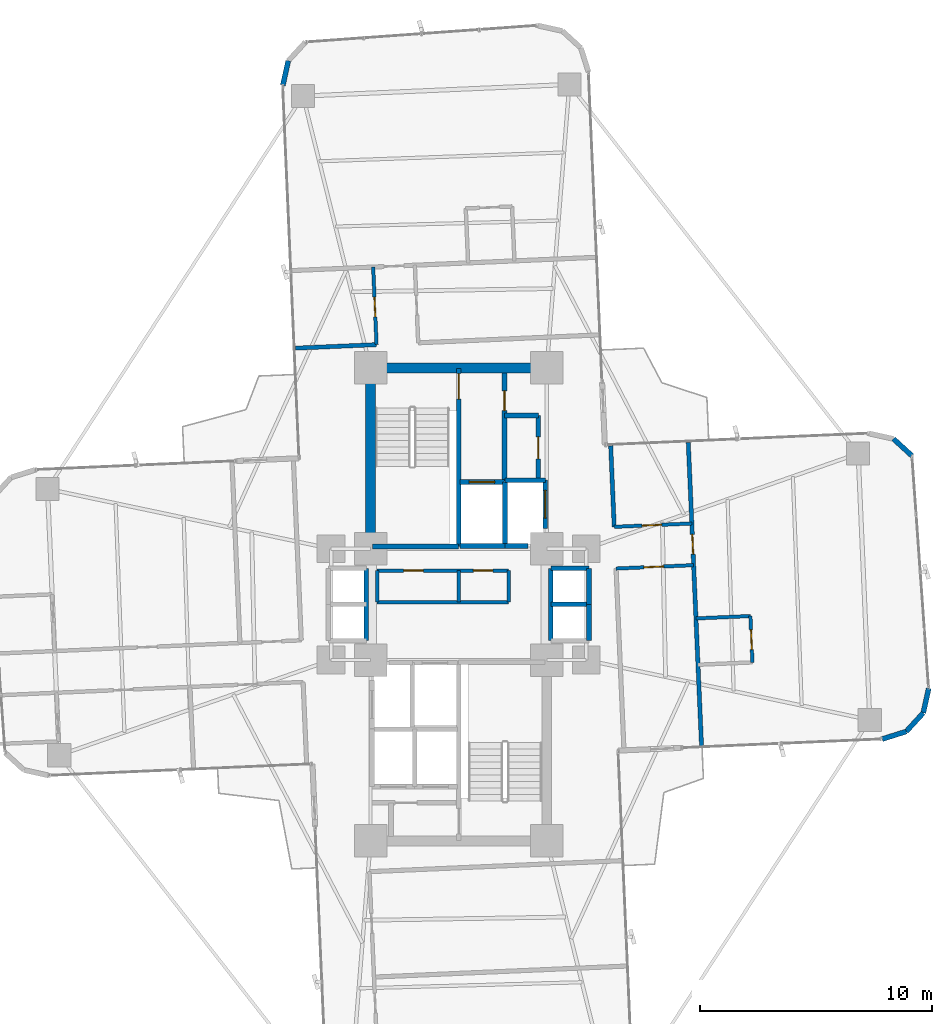
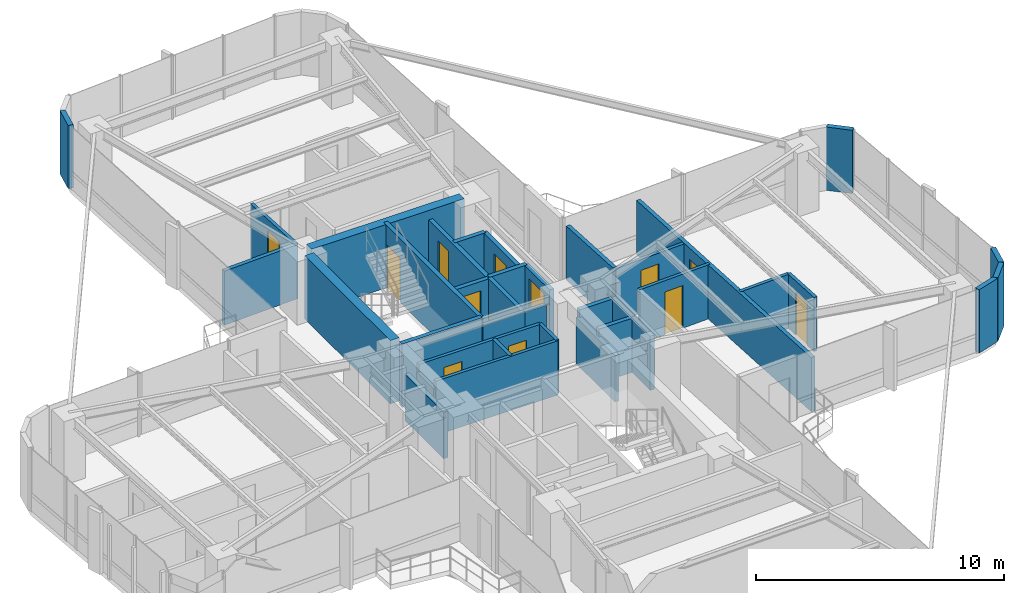
# One storey, part 24 of 26: 37 walls, 12 doors, 12 openings.
"""IFC4 building model written with IfcOpenShell, lengths in metres."""

from ifc_helpers import new_model, si_unit, direction, frame, frame_2d, origin, origin_2d, place, context, subcontext, project, spatial, rectangle, extrude, source, transform, mapped, material, layer, layer_set, type_object, element, fill, save


model = new_model("IFC4")

# Units and contexts
model_context = context("Model", 3, precision=1e-05, world=origin(), true_north=direction((0.0, 1.0)))
body_context = subcontext(model_context, "Body", "Model", "MODEL_VIEW")
ifc_project = project(units=[si_unit("LENGTHUNIT", "METRE"), si_unit("AREAUNIT", "SQUARE_METRE"), si_unit("VOLUMEUNIT", "CUBIC_METRE"), si_unit("PLANEANGLEUNIT", "RADIAN"), si_unit("MASSUNIT", "GRAM", prefix="KILO")], contexts=[model_context])

# Site, building, storey
site_placement = place(None, origin())
site = spatial("IfcSite", under=ifc_project, at=site_placement, CompositionType="ELEMENT")
building_placement = place(site_placement, origin())
building = spatial("IfcBuilding", under=site, at=building_placement, Name="Sahyath Konkavel Grand Hotel", CompositionType="ELEMENT")
storey_placement = place(building_placement, frame((0.0, 0.0, 86.85009765625)))
storey = spatial("IfcBuildingStorey", under=building, at=storey_placement, Name="L23", CompositionType="ELEMENT", Elevation=86.85009765625)

# Walls
ifc_material_1 = material(Name="Concrete C50/60", Category="concrete")
ifc_layer_1 = layer(ifc_material_1, 0.419921875)
ifc_layer_set_1 = layer_set([ifc_layer_1], Name="Concrete C50/60")
wall_type_1 = type_object("IfcWallType", Name="CWALL-420", PredefinedType="SHEAR", material=ifc_layer_set_1)
wall_1_placement = place(storey_placement, frame((-3.550048828125, 10.199951171875, 0.0), z_axis=(0.0, 0.0, 1.0), x_axis=(1.0, 0.0, 0.0)))
element("IfcWall", 1, at=wall_1_placement, inside=storey, type_object=wall_type_1, Name="L23 North Core Shear Wall N", PredefinedType="SHEAR", context=body_context, shape_type="SweptSolid", body=[
    extrude(rectangle(XDim=7.10009765625, YDim=0.419921875, at=frame_2d((3.550048828125, 0.0))), origin(), (0.0, 0.0, 1.0), 3.10986328125),
])
wall_2_placement = place(storey_placement, frame((-3.800048828125, 2.85009765625, 0.0), z_axis=(0.0, 0.0, 1.0), x_axis=(0.0, 1.0, 0.0)))
element("IfcWall", 2, at=wall_2_placement, inside=storey, type_object=wall_type_1, Name="L23 North Core Shear Wall W", PredefinedType="SHEAR", context=body_context, shape_type="SweptSolid", body=[
    extrude(rectangle(XDim=6.89990234375, YDim=0.419921875, at=frame_2d((3.449951171875, 0.0))), origin(), (0.0, 0.0, 1.0), 3.10986328125),
])
ifc_material_2 = material(Name="Warm Buff Sandstone Insulated Concrete C40/50", Category="masonry")
ifc_layer_2 = layer(ifc_material_2, 0.219970703125)
ifc_layer_set_2 = layer_set([ifc_layer_2], Name="Warm Buff Sandstone Insulated Concrete C40/50")
wall_type_2 = type_object("IfcWallType", Name="WLL-BALC-THRESH", PredefinedType="STANDARD", material=ifc_layer_set_2)
for number, where, z_axis, x_axis, name in (
    (3, (18.270751953125, -5.80859375, 0.0), (0.0, 0.0, 1.0), (0.953721713582, 0.30069069331, 0.0), "L23 Rounded Corner Sandstone Pier 1"),
    (4, (19.3076171875, -5.481689453125, 0.0), (0.0, 0.0, 1.0), (0.675551721847, 0.737312600672, 0.0), "L23 Rounded Corner Sandstone Pier 2"),
):
    element("IfcWall", number, at=place(storey_placement, frame(where, z_axis=z_axis, x_axis=x_axis)), inside=storey, type_object=wall_type_2, Name=name, PredefinedType="STANDARD", context=body_context, shape_type="SweptSolid", body=[
        extrude(rectangle(XDim=1.087158203125, YDim=0.219970703125, at=frame_2d((0.54345703125, 0.0))), origin(), (0.0, 0.0, 1.0), 3.10986328125),
    ])
for number, where, z_axis, x_axis, name in (
    (5, (20.0419921875, -4.68017578125, 0.0), (0.0, 0.0, 1.0), (0.216288323511, 0.976329535102, 0.0), "L23 Rounded Corner Sandstone Pier 3"),
    (6, (19.5576171875, 6.4091796875, 0.0), (0.0, 0.0, 1.0), (-0.737210081318, 0.675663596772, 0.0), "L23 Rounded Corner Sandstone Pier 5"),
):
    element("IfcWall", number, at=place(storey_placement, frame(where, z_axis=z_axis, x_axis=x_axis)), inside=storey, type_object=wall_type_2, Name=name, PredefinedType="STANDARD", context=body_context, shape_type="SweptSolid", body=[
        extrude(rectangle(XDim=1.0869140625, YDim=0.219970703125, at=frame_2d((0.54345703125, 0.0))), origin(), (0.0, 0.0, 1.0), 3.10986328125),
    ])
wall_3_placement = place(storey_placement, frame((-7.3486328125, 23.451904296875, 0.0), z_axis=(0.0, 0.0, 1.0), x_axis=(-0.216454939174, -0.976292609471, 0.0)))
element("IfcWall", 7, at=wall_3_placement, inside=storey, type_object=wall_type_2, Name="L23 Rounded Corner Sandstone Pier 14", PredefinedType="STANDARD", context=body_context, shape_type="SweptSolid", body=[
    extrude(rectangle(XDim=1.08740234375, YDim=0.219970703125, at=frame_2d((0.543701171875, 0.0))), origin(), (0.0, 0.0, 1.0), 3.10986328125),
])

# Wall, opening, door
ifc_material_3 = material(Name="Concrete C40/50", Category="concrete")
ifc_layer_3 = layer(ifc_material_3, 0.199951171875)
ifc_layer_set_3 = layer_set([ifc_layer_3], Name="Concrete C40/50")
wall_type_3 = type_object("IfcWallType", Name="WLL-CORE-200", PredefinedType="SOLIDWALL", material=ifc_layer_set_3)
wall_4_placement = place(storey_placement, frame((0.0, 2.5, 0.0), z_axis=(0.0, 0.0, 1.0), x_axis=(0.0, 1.0, 0.0)))
wall_4 = element("IfcWall", 8, at=wall_4_placement, inside=storey, type_object=wall_type_3, Name="L23 Stair ST-1 Shaft Wall E", PredefinedType="SOLIDWALL", context=body_context, shape_type="SweptSolid", body=[
    extrude(rectangle(XDim=7.679931640625, YDim=0.199951171875, at=frame_2d((3.83984375, 0.0))), origin(), (0.0, 0.0, 1.0), 3.10986328125),
])
opening_1_placement = place(wall_4_placement, frame((6.360107421875, 0.0, 0.0)))
opening_1 = element("IfcOpeningElement", 9, at=opening_1_placement, cuts=wall_4, Name="Opening D-F12B", PredefinedType="OPENING", context=body_context, shape_type="SweptSolid", body=[
    extrude(rectangle(XDim=1.10009765625, YDim=2.14990234375, at=frame_2d((0.550048828125, 1.074951171875))), frame((0.0, 0.10986328125, 0.0), z_axis=(0.0, -1.0, 0.0), x_axis=(1.0, 0.0, 0.0)), (0.0, 0.0, 1.0), 0.219970703125),
])
ifc_material_4 = material(Name="Steel E350 Smokeproof Fire Door", Category="steel")
door_type_1 = type_object("IfcDoorType", Name="DR-FD120-1100", OperationType="NOTDEFINED", PredefinedType="DOOR", material=ifc_material_4)
shared_shape_1 = source(origin(), body_context, "Body", "SweptSolid", [
    extrude(rectangle(XDim=1.10009765625, YDim=0.050048828125, at=origin_2d()), origin(), (0.0, 0.0, 1.0), 2.14990234375),
])
door_1_placement = place(opening_1_placement, frame((0.550048828125, 0.0, 0.0)))
door_1 = element("IfcDoor", 10, at=door_1_placement, inside=storey, type_object=door_type_1, Name="L23 Stair ST-1 Fire Door", OperationType="SINGLE_SWING_LEFT", OverallHeight=2.14990234375, OverallWidth=1.10009765625, PredefinedType="DOOR", context=body_context, shape_type="MappedRepresentation", body=[
    mapped(shared_shape_1, transform((0.0, 0.0, 0.0), scale=1.0)),
])
fill(opening_1, door_1)

# Wall
wall_5_placement = place(storey_placement, frame((-3.719970703125, 2.5, 0.0), z_axis=(0.0, 0.0, 1.0), x_axis=(1.0, 0.0, 0.0)))
element("IfcWall", 11, at=wall_5_placement, inside=storey, type_object=wall_type_3, Name="L23 Stair ST-1 Shaft Wall S", PredefinedType="SOLIDWALL", context=body_context, shape_type="SweptSolid", body=[
    extrude(rectangle(XDim=3.719970703125, YDim=0.199951171875, at=frame_2d((1.85986328125, 0.0))), origin(), (0.0, 0.0, 1.0), 3.10986328125),
])

# Wall, opening, door
wall_6_placement = place(storey_placement, frame((1.97998046875, 5.320068359375, 0.0), z_axis=(0.0, 0.0, 1.0), x_axis=(0.0, 1.0, 0.0)))
wall_6 = element("IfcWall", 12, at=wall_6_placement, inside=storey, type_object=wall_type_3, Name="L23 North Firefighting Lobby Wall E", PredefinedType="SOLIDWALL", context=body_context, shape_type="SweptSolid", body=[
    extrude(rectangle(XDim=4.659912109375, YDim=0.199951171875, at=frame_2d((2.330078125, 0.0))), origin(), (0.0, 0.0, 1.0), 2.659912109375),
])
opening_2_placement = place(wall_6_placement, frame((3.0400390625, 0.0, 0.0)))
opening_2 = element("IfcOpeningElement", 13, at=opening_2_placement, cuts=wall_6, Name="Opening D-F12D", PredefinedType="OPENING", context=body_context, shape_type="SweptSolid", body=[
    extrude(rectangle(XDim=0.85009765625, YDim=2.10009765625, at=frame_2d((0.425048828125, 1.050048828125))), frame((0.0, 0.10986328125, 0.0), z_axis=(0.0, -1.0, 0.0), x_axis=(1.0, 0.0, 0.0)), (0.0, 0.0, 1.0), 0.219970703125),
])
ifc_material_5 = material(Name="Steel E350 Core Fire Door", Category="steel")
door_type_2 = type_object("IfcDoorType", Name="DR-FD120-850", OperationType="NOTDEFINED", PredefinedType="DOOR", material=ifc_material_5)
shared_shape_2 = source(origin(), body_context, "Body", "SweptSolid", [
    extrude(rectangle(XDim=0.85009765625, YDim=0.050048828125, at=origin_2d()), origin(), (0.0, 0.0, 1.0), 2.10009765625),
])
door_2_placement = place(opening_2_placement, frame((0.425048828125, 0.0, 0.0)))
door_2 = element("IfcDoor", 14, at=door_2_placement, inside=storey, type_object=door_type_2, Name="L23 North Firefighting Lobby Door", OperationType="SINGLE_SWING_LEFT", OverallHeight=2.10009765625, OverallWidth=0.85009765625, PredefinedType="DOOR", context=body_context, shape_type="MappedRepresentation", body=[
    mapped(shared_shape_2, transform((0.0, 0.0, 0.0), scale=1.0)),
])
fill(opening_2, door_2)

# Walls
wall_7_placement = place(storey_placement, frame((2.0, 2.5, 0.0), z_axis=(0.0, 0.0, 1.0), x_axis=(0.0, 1.0, 0.0)))
element("IfcWall", 15, at=wall_7_placement, inside=storey, type_object=wall_type_3, Name="L23 Partition SH-FFL1-E", PredefinedType="SOLIDWALL", context=body_context, shape_type="SweptSolid", body=[
    extrude(rectangle(XDim=2.780029296875, YDim=0.199951171875, at=frame_2d((1.39013671875, 0.0))), origin(), (0.0, 0.0, 1.0), 2.659912109375),
])
wall_8_placement = place(storey_placement, frame((0.050048828125, 2.52001953125, 0.0), z_axis=(0.0, 0.0, 1.0), x_axis=(1.0, 0.0, 0.0)))
element("IfcWall", 16, at=wall_8_placement, inside=storey, type_object=wall_type_3, Name="L23 Partition SH-FFL1-S", PredefinedType="SOLIDWALL", context=body_context, shape_type="SweptSolid", body=[
    extrude(rectangle(XDim=1.949951171875, YDim=0.199951171875, at=frame_2d((0.97509765625, 0.0))), origin(), (0.0, 0.0, 1.0), 2.659912109375),
])

# Wall, opening, door
wall_9_placement = place(storey_placement, frame((0.050048828125, 5.280029296875, 0.0), z_axis=(0.0, 0.0, 1.0), x_axis=(1.0, 0.0, 0.0)))
wall_9 = element("IfcWall", 17, at=wall_9_placement, inside=storey, type_object=wall_type_3, Name="L23 Partition SH-FFL1-N", PredefinedType="SOLIDWALL", context=body_context, shape_type="SweptSolid", body=[
    extrude(rectangle(XDim=1.929931640625, YDim=0.199951171875, at=frame_2d((0.96484375, 0.0))), origin(), (0.0, 0.0, 1.0), 2.659912109375),
])
opening_3_placement = place(wall_9_placement, frame((0.39990234375, 0.0, 0.0)))
opening_3 = element("IfcOpeningElement", 18, at=opening_3_placement, cuts=wall_9, Name="Opening LD-11", PredefinedType="OPENING", context=body_context, shape_type="SweptSolid", body=[
    extrude(rectangle(XDim=1.10009765625, YDim=2.199951171875, at=frame_2d((0.550048828125, 1.10009765625))), frame((0.0, 0.10986328125, 0.0), z_axis=(0.0, -1.0, 0.0), x_axis=(1.0, 0.0, 0.0)), (0.0, 0.0, 1.0), 0.219970703125),
])
ifc_material_6 = material(Name="Bronze Lift Landing Door 1100")
door_type_3 = type_object("IfcDoorType", Name="DR-LIFT-1100", OperationType="DOUBLE_DOOR_SLIDING", PredefinedType="DOOR", material=ifc_material_6)
shared_shape_3 = source(origin(), body_context, "Body", "SweptSolid", [
    extrude(rectangle(XDim=1.10009765625, YDim=0.050048828125, at=origin_2d()), origin(), (0.0, 0.0, 1.0), 2.199951171875),
])
door_3_placement = place(opening_3_placement, frame((0.550048828125, 0.0, 0.0)))
door_3 = element("IfcDoor", 19, at=door_3_placement, inside=storey, type_object=door_type_3, Name="L23 Lift FFL-1 Landing Door", OperationType="DOUBLE_DOOR_SLIDING", OverallHeight=2.199951171875, OverallWidth=1.10009765625, PredefinedType="DOOR", context=body_context, shape_type="MappedRepresentation", body=[
    mapped(shared_shape_3, transform((0.0, 0.0, 0.0), scale=1.0)),
])
fill(opening_3, door_3)

# Walls
wall_10_placement = place(storey_placement, frame((2.0, 2.52001953125, 0.0), z_axis=(0.0, 0.0, 1.0), x_axis=(1.0, 0.0, 0.0)))
element("IfcWall", 20, at=wall_10_placement, inside=storey, type_object=wall_type_3, Name="L23 Partition SH-SVL1-S", PredefinedType="SOLIDWALL", context=body_context, shape_type="SweptSolid", body=[
    extrude(rectangle(XDim=1.0, YDim=0.199951171875, at=frame_2d((0.5, 0.0))), origin(), (0.0, 0.0, 1.0), 2.659912109375),
])
wall_11_placement = place(storey_placement, frame((2.0, 5.360107421875, 0.0), z_axis=(0.0, 0.0, 1.0), x_axis=(1.0, 0.0, 0.0)))
element("IfcWall", 21, at=wall_11_placement, inside=storey, type_object=wall_type_3, Name="L23 Partition SH-SVL1-N", PredefinedType="SOLIDWALL", context=body_context, shape_type="SweptSolid", body=[
    extrude(rectangle(XDim=1.739990234375, YDim=0.199951171875, at=frame_2d((0.8701171875, 0.0))), origin(), (0.0, 0.0, 1.0), 2.659912109375),
])

# Wall, opening, door
wall_12_placement = place(storey_placement, frame((3.739990234375, 3.280029296875, 0.0), z_axis=(0.0, 0.0, 1.0), x_axis=(0.0, 1.0, 0.0)))
wall_12 = element("IfcWall", 22, at=wall_12_placement, inside=storey, type_object=wall_type_3, Name="L23 Partition SH-SVL1-E", PredefinedType="SOLIDWALL", context=body_context, shape_type="SweptSolid", body=[
    extrude(rectangle(XDim=2.080078125, YDim=0.199951171875, at=frame_2d((1.0400390625, 0.0))), origin(), (0.0, 0.0, 1.0), 2.659912109375),
])
opening_4_placement = place(wall_12_placement, frame((0.43994140625, 0.0, 0.0)))
opening_4 = element("IfcOpeningElement", 23, at=opening_4_placement, cuts=wall_12, Name="Opening LD-12", PredefinedType="OPENING", context=body_context, shape_type="SweptSolid", body=[
    extrude(rectangle(XDim=1.199951171875, YDim=2.199951171875, at=frame_2d((0.60009765625, 1.10009765625))), frame((0.0, 0.10986328125, 0.0), z_axis=(0.0, -1.0, 0.0), x_axis=(1.0, 0.0, 0.0)), (0.0, 0.0, 1.0), 0.219970703125),
])
ifc_material_7 = material(Name="Stainless Steel Lift Landing Door 1200", Category="steel")
door_type_4 = type_object("IfcDoorType", Name="DR-LIFT-1200", OperationType="DOUBLE_DOOR_SLIDING", PredefinedType="DOOR", material=ifc_material_7)
shared_shape_4 = source(origin(), body_context, "Body", "SweptSolid", [
    extrude(rectangle(XDim=1.199951171875, YDim=0.050048828125, at=origin_2d()), origin(), (0.0, 0.0, 1.0), 2.199951171875),
])
door_4_placement = place(opening_4_placement, frame((0.60009765625, 0.0, 0.0)))
door_4 = element("IfcDoor", 24, at=door_4_placement, inside=storey, type_object=door_type_4, Name="L23 Service Lift SVL-1 Landing Door", OperationType="DOUBLE_DOOR_SLIDING", OverallHeight=2.199951171875, OverallWidth=1.199951171875, PredefinedType="DOOR", context=body_context, shape_type="MappedRepresentation", body=[
    mapped(shared_shape_4, transform((0.0, 0.0, 0.0), scale=1.0)),
])
fill(opening_4, door_4)

# Walls
wall_13_placement = place(storey_placement, frame((3.97998046875, -1.56005859375, 0.0), z_axis=(0.0, 0.0, 1.0), x_axis=(0.0, 1.0, 0.0)))
element("IfcWall", 25, at=wall_13_placement, inside=storey, type_object=wall_type_3, Name="L23 Partition SH-PL56-W", PredefinedType="SOLIDWALL", context=body_context, shape_type="SweptSolid", body=[
    extrude(rectangle(XDim=3.1201171875, YDim=0.199951171875, at=frame_2d((1.56005859375, 0.0))), origin(), (0.0, 0.0, 1.0), 2.27978515625),
])
for number, where, z_axis, x_axis, name in (
    (26, (3.97998046875, 1.56005859375, 0.0), (0.0, 0.0, 1.0), (1.0, 0.0, 0.0), "L23 Partition SH-PL56-N"),
    (27, (3.97998046875, 0.0, 0.0), (0.0, 0.0, 1.0), (1.0, 0.0, 0.0), "L23 Partition SH-PL56-M"),
):
    element("IfcWall", number, at=place(storey_placement, frame(where, z_axis=z_axis, x_axis=x_axis)), inside=storey, type_object=wall_type_3, Name=name, PredefinedType="SOLIDWALL", context=body_context, shape_type="SweptSolid", body=[
        extrude(rectangle(XDim=1.64013671875, YDim=0.199951171875, at=frame_2d((0.820068359375, 0.0))), origin(), (0.0, 0.0, 1.0), 2.659912109375),
    ])
for number, where, z_axis, x_axis, name in (
    (28, (5.6201171875, 0.0, 0.0), (0.0, 0.0, 1.0), (0.0, 1.0, 0.0), "L23 Partition SH-PL5-E"),
    (29, (5.6201171875, -1.56005859375, 0.0), (0.0, 0.0, 1.0), (0.0, 1.0, 0.0), "L23 Partition SH-PL6-E"),
):
    element("IfcWall", number, at=place(storey_placement, frame(where, z_axis=z_axis, x_axis=x_axis)), inside=storey, type_object=wall_type_3, Name=name, PredefinedType="SOLIDWALL", context=body_context, shape_type="SweptSolid", body=[
        extrude(rectangle(XDim=1.56005859375, YDim=0.199951171875, at=frame_2d((0.780029296875, 0.0))), origin(), (0.0, 0.0, 1.0), 2.659912109375),
    ])
wall_14_placement = place(storey_placement, frame((-3.97998046875, -1.56005859375, 0.0), z_axis=(0.0, 0.0, 1.0), x_axis=(0.0, 1.0, 0.0)))
element("IfcWall", 30, at=wall_14_placement, inside=storey, type_object=wall_type_3, Name="L23 Partition SH-SL12-E", PredefinedType="SOLIDWALL", context=body_context, shape_type="SweptSolid", body=[
    extrude(rectangle(XDim=3.1201171875, YDim=0.199951171875, at=frame_2d((1.56005859375, 0.0))), origin(), (0.0, 0.0, 1.0), 2.27978515625),
])

# Wall, opening, door
wall_15_placement = place(storey_placement, frame((3.43994140625, 5.3798828125, 0.0), z_axis=(0.0, 0.0, 1.0), x_axis=(0.0, 1.0, 0.0)))
wall_15 = element("IfcWall", 31, at=wall_15_placement, inside=storey, type_object=wall_type_3, Name="L23 Reclaimed North Core Wall E", PredefinedType="SOLIDWALL", context=body_context, shape_type="SweptSolid", body=[
    extrude(rectangle(XDim=2.77001953125, YDim=0.199951171875, at=frame_2d((1.385009765625, 0.0))), origin(), (0.0, 0.0, 1.0), 2.659912109375),
])
opening_5_placement = place(wall_15_placement, frame((0.89990234375, 0.0, 0.0)))
opening_5 = element("IfcOpeningElement", 32, at=opening_5_placement, cuts=wall_15, Name="Opening D-F06B", PredefinedType="OPENING", context=body_context, shape_type="SweptSolid", body=[
    extrude(rectangle(XDim=0.949951171875, YDim=2.14990234375, at=frame_2d((0.47509765625, 1.074951171875))), frame((0.0, 0.10986328125, 0.0), z_axis=(0.0, -1.0, 0.0), x_axis=(1.0, 0.0, 0.0)), (0.0, 0.0, 1.0), 0.219970703125),
])
ifc_material_8 = material(Name="Teak Veneer Fire-Rated Guest Entrance Door")
door_type_5 = type_object("IfcDoorType", Name="DR-FD60-950", OperationType="NOTDEFINED", PredefinedType="DOOR", material=ifc_material_8)
shared_shape_5 = source(origin(), body_context, "Body", "SweptSolid", [
    extrude(rectangle(XDim=0.949951171875, YDim=0.050048828125, at=origin_2d()), origin(), (0.0, 0.0, 1.0), 2.14990234375),
])
door_5_placement = place(opening_5_placement, frame((0.47509765625, 0.0, 0.0)))
door_5 = element("IfcDoor", 33, at=door_5_placement, inside=storey, type_object=door_type_5, Name="L23 Door NC-REC1-D", OperationType="SINGLE_SWING_RIGHT", OverallHeight=2.14990234375, OverallWidth=0.949951171875, PredefinedType="DOOR", context=body_context, shape_type="MappedRepresentation", body=[
    mapped(shared_shape_5, transform((0.0, 0.0, 0.0), scale=1.0)),
])
fill(opening_5, door_5)

# Walls
wall_16_placement = place(storey_placement, frame((1.97998046875, 8.14990234375, 0.0), z_axis=(0.0, 0.0, 1.0), x_axis=(1.0, 0.0, 0.0)))
element("IfcWall", 34, at=wall_16_placement, inside=storey, type_object=wall_type_3, Name="L23 Partition NC-REC-N", PredefinedType="SOLIDWALL", context=body_context, shape_type="SweptSolid", body=[
    extrude(rectangle(XDim=1.4599609375, YDim=0.199951171875, at=frame_2d((0.72998046875, 0.0))), origin(), (0.0, 0.0, 1.0), 2.659912109375),
])
ifc_material_9 = material(Name="Twin-Stud Acoustic Gypsum Plasterboard Partition")
ifc_layer_4 = layer(ifc_material_9, 0.179931640625)
ifc_layer_set_4 = layer_set([ifc_layer_4], Name="Twin-Stud Acoustic Gypsum Plasterboard Partition")
wall_type_4 = type_object("IfcWallType", Name="WLL-DEMISE-180", PredefinedType="PARTITIONING", material=ifc_layer_set_4)
wall_17_placement = place(storey_placement, frame((6.71044921875, 3.345947265625, 0.0), z_axis=(0.0, 0.0, 1.0), x_axis=(-0.043597663116, 0.999049169846, 0.0)))
element("IfcWall", 35, at=wall_17_placement, inside=storey, type_object=wall_type_4, Name="L23 Partition E-INL", PredefinedType="PARTITIONING", context=body_context, shape_type="SweptSolid", body=[
    extrude(rectangle(XDim=3.5, YDim=0.179931640625, at=frame_2d((1.75, 0.0))), origin(), (0.0, 0.0, 1.0), 2.659912109375),
])

# Wall, opening, door
wall_18_placement = place(storey_placement, frame((10.47607421875, -6.098876953125, 0.0), z_axis=(0.0, 0.0, 1.0), x_axis=(-0.043628089563, 0.999047841598, 0.0)))
wall_18 = element("IfcWall", 36, at=wall_18_placement, inside=storey, type_object=wall_type_4, Name="L23 Partition E-ETIP-END", PredefinedType="PARTITIONING", context=body_context, shape_type="SweptSolid", body=[
    extrude(rectangle(XDim=13.10009765625, YDim=0.179931640625, at=frame_2d((6.550048828125, 0.0))), origin(), (0.0, 0.0, 1.0), 2.659912109375),
])
opening_6_placement = place(wall_18_placement, frame((8.27490234375, 0.0, 0.0)))
opening_6 = element("IfcOpeningElement", 37, at=opening_6_placement, cuts=wall_18, Name="Opening D-F06D", PredefinedType="OPENING", context=body_context, shape_type="SweptSolid", body=[
    extrude(rectangle(XDim=0.85009765625, YDim=2.10009765625, at=frame_2d((0.425048828125, 1.050048828125))), frame((0.0, 0.10009765625, 0.0), z_axis=(0.0, -1.0, 0.0), x_axis=(1.0, 0.0, 0.0)), (0.0, 0.0, 1.0), 0.199951171875),
])
ifc_material_10 = material(Name="Fire-Rated Shaft Access Door")
door_type_6 = type_object("IfcDoorType", Name="DR-FD60-850", OperationType="NOTDEFINED", PredefinedType="DOOR", material=ifc_material_10)
door_6_placement = place(opening_6_placement, frame((0.425048828125, 0.0, 0.0)))
door_6 = element("IfcDoor", 38, at=door_6_placement, inside=storey, type_object=door_type_6, Name="L23 Door E-ETIP-ED", OperationType="SINGLE_SWING_RIGHT", OverallHeight=2.10009765625, OverallWidth=0.85009765625, PredefinedType="DOOR", context=body_context, shape_type="MappedRepresentation", body=[
    mapped(shared_shape_2, transform((0.0, 0.0, 0.0), scale=1.0)),
])
fill(opening_6, door_6)

# Walls
wall_19_placement = place(storey_placement, frame((-3.542236328125, 11.206298828125, 0.0), z_axis=(0.0, 0.0, 1.0), x_axis=(-0.999046129111, -0.04366728647, 0.0)))
element("IfcWall", 39, at=wall_19_placement, inside=storey, type_object=wall_type_4, Name="L23 Partition N-INL", PredefinedType="PARTITIONING", context=body_context, shape_type="SweptSolid", body=[
    extrude(rectangle(XDim=3.5, YDim=0.179931640625, at=frame_2d((1.75, 0.0))), origin(), (0.0, 0.0, 1.0), 2.659912109375),
])
ifc_material_11 = material(Name="Fire-Rated Gypsum Plasterboard Partition")
ifc_layer_5 = layer(ifc_material_11, 0.14990234375)
ifc_layer_set_5 = layer_set([ifc_layer_5], Name="Fire-Rated Gypsum Plasterboard Partition")
wall_type_5 = type_object("IfcWallType", Name="WLL-PART-150", PredefinedType="PARTITIONING", material=ifc_layer_set_5)
wall_20_placement = place(storey_placement, frame((-3.52001953125, 0.10009765625, 0.0), z_axis=(0.0, 0.0, 1.0), x_axis=(1.0, 0.0, 0.0)))
element("IfcWall", 40, at=wall_20_placement, inside=storey, type_object=wall_type_5, Name="L23 Partition CC-S0-FIX", PredefinedType="PARTITIONING", context=body_context, shape_type="SweptSolid", body=[
    extrude(rectangle(XDim=5.679931640625, YDim=0.14990234375, at=frame_2d((2.83984375, 0.0))), origin(), (0.0, 0.0, 1.0), 2.659912109375),
])

# Wall, openings, doors
wall_21_placement = place(storey_placement, frame((-3.52001953125, 1.4599609375, 0.0), z_axis=(0.0, 0.0, 1.0), x_axis=(1.0, 0.0, 0.0)))
wall_21 = element("IfcWall", 41, at=wall_21_placement, inside=storey, type_object=wall_type_5, Name="L23 Partition CC-N0", PredefinedType="PARTITIONING", context=body_context, shape_type="SweptSolid", body=[
    extrude(rectangle(XDim=5.679931640625, YDim=0.14990234375, at=frame_2d((2.83984375, 0.0))), origin(), (0.0, 0.0, 1.0), 2.659912109375),
])
opening_7_placement = place(wall_21_placement, frame((1.14990234375, 0.0, 0.0)))
opening_7 = element("IfcOpeningElement", 42, at=opening_7_placement, cuts=wall_21, Name="Opening D-F06D", PredefinedType="OPENING", context=body_context, shape_type="SweptSolid", body=[
    extrude(rectangle(XDim=0.85009765625, YDim=2.10009765625, at=frame_2d((0.425048828125, 1.050048828125))), frame((0.0, 0.0849609375, 0.0), z_axis=(0.0, -1.0, 0.0), x_axis=(1.0, 0.0, 0.0)), (0.0, 0.0, 1.0), 0.169921875),
])
opening_8_placement = place(wall_21_placement, frame((4.14990234375, 0.0, 0.0)))
opening_8 = element("IfcOpeningElement", 43, at=opening_8_placement, cuts=wall_21, Name="Opening D-F06D", PredefinedType="OPENING", context=body_context, shape_type="SweptSolid", body=[
    extrude(rectangle(XDim=0.85009765625, YDim=2.10009765625, at=frame_2d((0.425048828125, 1.050048828125))), frame((0.0, 0.0849609375, 0.0), z_axis=(0.0, -1.0, 0.0), x_axis=(1.0, 0.0, 0.0)), (0.0, 0.0, 1.0), 0.169921875),
])
door_7_placement = place(opening_7_placement, frame((0.425048828125, 0.0, 0.0)))
door_7 = element("IfcDoor", 44, at=door_7_placement, inside=storey, type_object=door_type_6, Name="L23 Door CC-D0A", OperationType="SINGLE_SWING_LEFT", OverallHeight=2.10009765625, OverallWidth=0.85009765625, PredefinedType="DOOR", context=body_context, shape_type="MappedRepresentation", body=[
    mapped(shared_shape_2, transform((0.0, 0.0, 0.0), scale=1.0)),
])
fill(opening_7, door_7)
door_8_placement = place(opening_8_placement, frame((0.425048828125, 0.0, 0.0)))
door_8 = element("IfcDoor", 45, at=door_8_placement, inside=storey, type_object=door_type_6, Name="L23 Door CC-D0B", OperationType="SINGLE_SWING_RIGHT", OverallHeight=2.10009765625, OverallWidth=0.85009765625, PredefinedType="DOOR", context=body_context, shape_type="MappedRepresentation", body=[
    mapped(shared_shape_2, transform((0.0, 0.0, 0.0), scale=1.0)),
])
fill(opening_8, door_8)

# Walls
wall_22_placement = place(storey_placement, frame((-3.52001953125, 0.10009765625, 0.0), z_axis=(0.0, 0.0, 1.0), x_axis=(0.0, 1.0, 0.0)))
element("IfcWall", 46, at=wall_22_placement, inside=storey, type_object=wall_type_5, Name="L23 Partition CC-W0", PredefinedType="PARTITIONING", context=body_context, shape_type="SweptSolid", body=[
    extrude(rectangle(XDim=1.35986328125, YDim=0.14990234375, at=frame_2d((0.679931640625, 0.0))), origin(), (0.0, 0.0, 1.0), 2.27978515625),
])
for number, where, z_axis, x_axis, name in (
    (47, (2.159912109375, 0.10009765625, 0.0), (0.0, 0.0, 1.0), (0.0, 1.0, 0.0), "L23 Partition CC-E0"),
    (48, (0.0, 0.10009765625, 0.0), (0.0, 0.0, 1.0), (0.0, 1.0, 0.0), "L23 Partition CC-M0"),
):
    element("IfcWall", number, at=place(storey_placement, frame(where, z_axis=z_axis, x_axis=x_axis)), inside=storey, type_object=wall_type_5, Name=name, PredefinedType="PARTITIONING", context=body_context, shape_type="SweptSolid", body=[
        extrude(rectangle(XDim=1.35986328125, YDim=0.14990234375, at=frame_2d((0.679931640625, 0.0))), origin(), (0.0, 0.0, 1.0), 2.659912109375),
    ])

# Wall, opening, door
wall_23_placement = place(storey_placement, frame((6.71044921875, 3.345947265625, 0.0), z_axis=(0.0, 0.0, 1.0), x_axis=(0.999049960678, 0.043579537274, 0.0)))
wall_23 = element("IfcWall", 49, at=wall_23_placement, inside=storey, type_object=wall_type_5, Name="L23 Partition E-CL", PredefinedType="PARTITIONING", context=body_context, shape_type="SweptSolid", body=[
    extrude(rectangle(XDim=3.35009765625, YDim=0.14990234375, at=frame_2d((1.675048828125, 0.0))), origin(), (0.0, 0.0, 1.0), 2.6298828125),
])
opening_9_placement = place(wall_23_placement, frame((1.199951171875, 0.0, 0.0)))
opening_9 = element("IfcOpeningElement", 50, at=opening_9_placement, cuts=wall_23, Name="Opening D-F06D", PredefinedType="OPENING", context=body_context, shape_type="SweptSolid", body=[
    extrude(rectangle(XDim=0.85009765625, YDim=2.10009765625, at=frame_2d((0.425048828125, 1.050048828125))), frame((0.0, 0.0849609375, 0.0), z_axis=(0.0, -1.0, 0.0), x_axis=(1.0, 0.0, 0.0)), (0.0, 0.0, 1.0), 0.169921875),
])
door_9_placement = place(opening_9_placement, frame((0.425048828125, 0.0, 0.0)))
door_9 = element("IfcDoor", 51, at=door_9_placement, inside=storey, type_object=door_type_6, Name="L23 Door E-ES3L-D", OperationType="SINGLE_SWING_LEFT", OverallHeight=2.10009765625, OverallWidth=0.85009765625, PredefinedType="DOOR", context=body_context, shape_type="MappedRepresentation", body=[
    mapped(shared_shape_2, transform((0.0, 0.0, 0.0), scale=1.0)),
])
fill(opening_9, door_9)

wall_24_placement = place(storey_placement, frame((6.7890625, 1.547607421875, 0.0), z_axis=(0.0, 0.0, 1.0), x_axis=(0.99904982226, 0.043582710367, 0.0)))
wall_24 = element("IfcWall", 52, at=wall_24_placement, inside=storey, type_object=wall_type_5, Name="L23 Partition E-CR", PredefinedType="PARTITIONING", context=body_context, shape_type="SweptSolid", body=[
    extrude(rectangle(XDim=3.349853515625, YDim=0.14990234375, at=frame_2d((1.6748046875, 0.0))), origin(), (0.0, 0.0, 1.0), 2.659912109375),
])
opening_10_placement = place(wall_24_placement, frame((1.199951171875, 0.0, 0.0)))
opening_10 = element("IfcOpeningElement", 53, at=opening_10_placement, cuts=wall_24, Name="Opening D-F06D", PredefinedType="OPENING", context=body_context, shape_type="SweptSolid", body=[
    extrude(rectangle(XDim=0.85009765625, YDim=2.10009765625, at=frame_2d((0.425048828125, 1.050048828125))), frame((0.0, 0.0849609375, 0.0), z_axis=(0.0, -1.0, 0.0), x_axis=(1.0, 0.0, 0.0)), (0.0, 0.0, 1.0), 0.169921875),
])
door_10_placement = place(opening_10_placement, frame((0.425048828125, 0.0, 0.0)))
door_10 = element("IfcDoor", 54, at=door_10_placement, inside=storey, type_object=door_type_6, Name="L23 Door E-ES3R-D", OperationType="SINGLE_SWING_RIGHT", OverallHeight=2.10009765625, OverallWidth=0.85009765625, PredefinedType="DOOR", context=body_context, shape_type="MappedRepresentation", body=[
    mapped(shared_shape_2, transform((0.0, 0.0, 0.0), scale=1.0)),
])
fill(opening_10, door_10)

# Wall
wall_25_placement = place(storey_placement, frame((10.236083984375, -0.60400390625, 0.0), z_axis=(0.0, 0.0, 1.0), x_axis=(0.999052234136, 0.043527387554, 0.0)))
element("IfcWall", 55, at=wall_25_placement, inside=storey, type_object=wall_type_5, Name="L23 Partition E-ETIP-BN", PredefinedType="PARTITIONING", context=body_context, shape_type="SweptSolid", body=[
    extrude(rectangle(XDim=2.35009765625, YDim=0.14990234375, at=frame_2d((1.175048828125, 0.0))), origin(), (0.0, 0.0, 1.0), 2.659912109375),
])

# Wall, opening, door
wall_26_placement = place(storey_placement, frame((12.671142578125, -2.499755859375, 0.0), z_axis=(0.0, 0.0, 1.0), x_axis=(-0.043580257179, 0.999049929275, 0.0)))
wall_26 = element("IfcWall", 56, at=wall_26_placement, inside=storey, type_object=wall_type_5, Name="L23 Partition E-ETIP-BE", PredefinedType="PARTITIONING", context=body_context, shape_type="SweptSolid", body=[
    extrude(rectangle(XDim=2.0, YDim=0.14990234375, at=frame_2d((1.0, 0.0))), origin(), (0.0, 0.0, 1.0), 2.659912109375),
])
opening_11_placement = place(wall_26_placement, frame((0.550048828125, 0.0, 0.0)))
opening_11 = element("IfcOpeningElement", 57, at=opening_11_placement, cuts=wall_26, Name="Opening D-BT85", PredefinedType="OPENING", context=body_context, shape_type="SweptSolid", body=[
    extrude(rectangle(XDim=0.85009765625, YDim=2.10009765625, at=frame_2d((0.425048828125, 1.050048828125))), frame((0.0, 0.0849609375, 0.0), z_axis=(0.0, -1.0, 0.0), x_axis=(1.0, 0.0, 0.0)), (0.0, 0.0, 1.0), 0.169921875),
])
ifc_material_12 = material(Name="Moisture-Resistant Teak Bathroom Door")
door_type_7 = type_object("IfcDoorType", Name="DR-BATH-850", OperationType="NOTDEFINED", PredefinedType="DOOR", material=ifc_material_12)
door_11_placement = place(opening_11_placement, frame((0.425048828125, 0.0, 0.0)))
door_11 = element("IfcDoor", 58, at=door_11_placement, inside=storey, type_object=door_type_7, Name="L23 Door E-ETIP-BD", OperationType="SINGLE_SWING_LEFT", OverallHeight=2.10009765625, OverallWidth=0.85009765625, PredefinedType="DOOR", context=body_context, shape_type="MappedRepresentation", body=[
    mapped(shared_shape_2, transform((0.0, 0.0, 0.0), scale=1.0)),
])
fill(opening_11, door_11)

wall_27_placement = place(storey_placement, frame((-3.542236328125, 11.206298828125, 0.0), z_axis=(0.0, 0.0, 1.0), x_axis=(-0.043582710367, 0.99904982226, 0.0)))
wall_27 = element("IfcWall", 59, at=wall_27_placement, inside=storey, type_object=wall_type_5, Name="L23 Partition N-CL", PredefinedType="PARTITIONING", context=body_context, shape_type="SweptSolid", body=[
    extrude(rectangle(XDim=3.349853515625, YDim=0.14990234375, at=frame_2d((1.6748046875, 0.0))), origin(), (0.0, 0.0, 1.0), 2.659912109375),
])
opening_12_placement = place(wall_27_placement, frame((1.199951171875, 0.0, 0.0)))
opening_12 = element("IfcOpeningElement", 60, at=opening_12_placement, cuts=wall_27, Name="Opening D-F06D", PredefinedType="OPENING", context=body_context, shape_type="SweptSolid", body=[
    extrude(rectangle(XDim=0.85009765625, YDim=2.10009765625, at=frame_2d((0.425048828125, 1.050048828125))), frame((0.0, 0.0849609375, 0.0), z_axis=(0.0, -1.0, 0.0), x_axis=(1.0, 0.0, 0.0)), (0.0, 0.0, 1.0), 0.169921875),
])
door_12_placement = place(opening_12_placement, frame((0.425048828125, 0.0, 0.0)))
door_12 = element("IfcDoor", 61, at=door_12_placement, inside=storey, type_object=door_type_6, Name="L23 Door N-NS3L-D", OperationType="SINGLE_SWING_LEFT", OverallHeight=2.10009765625, OverallWidth=0.85009765625, PredefinedType="DOOR", context=body_context, shape_type="MappedRepresentation", body=[
    mapped(shared_shape_2, transform((0.0, 0.0, 0.0), scale=1.0)),
])
fill(opening_12, door_12)

save(model, "model.ifc")
